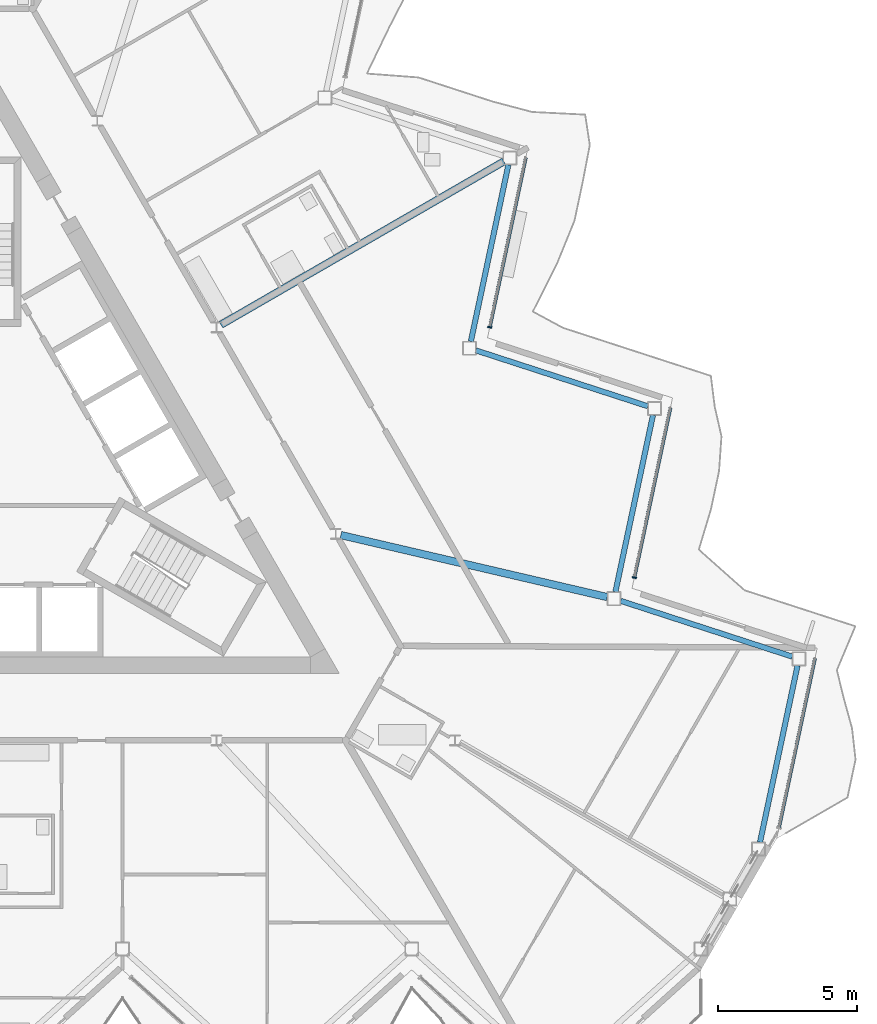
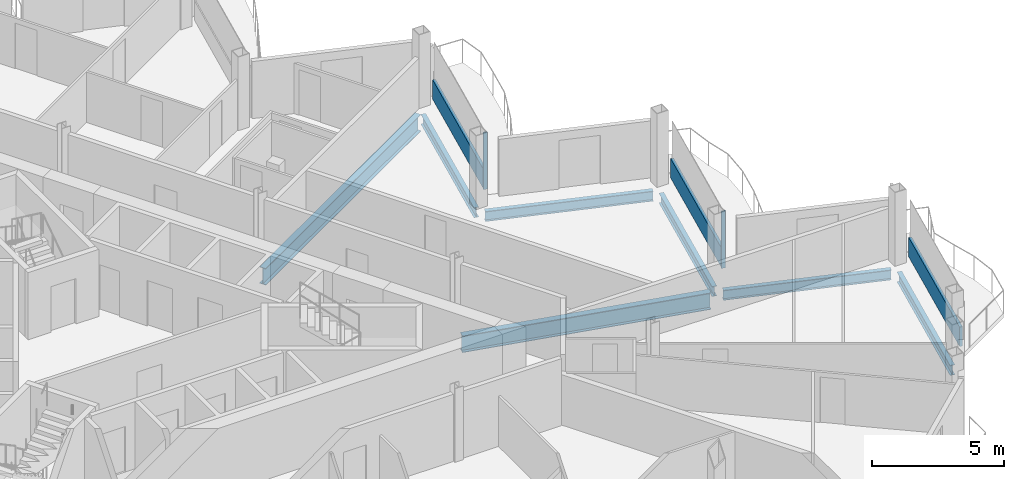
# One storey, part 8 of 26: 7 beams, 5 members, 3 elements without a shape of their own.
"""IFC4 building model written with IfcOpenShell, lengths in metres."""

from ifc_helpers import new_model, si_unit, direction, frame, origin, origin_2d, place, context, subcontext, project, spatial, rectangle, i_section, extrude, material, layer, layer_set, material_profile, profile_set, type_object, element, aggregate, save


model = new_model("IFC4")

# Units and contexts
model_context = context("Model", 3, precision=1e-05, world=origin(), true_north=direction((0.0, 1.0)))
body_context = subcontext(model_context, "Body", "Model", "MODEL_VIEW")
ifc_project = project(units=[si_unit("LENGTHUNIT", "METRE"), si_unit("AREAUNIT", "SQUARE_METRE"), si_unit("VOLUMEUNIT", "CUBIC_METRE"), si_unit("PLANEANGLEUNIT", "RADIAN"), si_unit("MASSUNIT", "GRAM", prefix="KILO")], contexts=[model_context])

# Site, building, storey
site_placement = place(None, origin())
site = spatial("IfcSite", under=ifc_project, at=site_placement, CompositionType="ELEMENT")
building_placement = place(site_placement, origin())
building = spatial("IfcBuilding", under=site, at=building_placement, Name="Cormorant Prow Tower", CompositionType="ELEMENT")
storey_placement = place(building_placement, frame((0.0, 0.0, 367.800048828125)))
storey = spatial("IfcBuildingStorey", under=building, at=storey_placement, Name="L82", CompositionType="ELEMENT", Elevation=367.800048828125)

# Beams
ifc_material_1 = material(Name="Structural steel ASTM A992 Gr 50", Category="steel")
ifc_material_profile_1 = material_profile(ifc_material_1, i_section(OverallWidth=0.267822265625, OverallDepth=0.77001953125, WebThickness=0.015625, FlangeThickness=0.025390625, at=origin_2d()), Name="W30x132")
ifc_profile_set_1 = profile_set([ifc_material_profile_1], Name="Structural steel ASTM A992 Gr 50")
beam_type_1 = type_object("IfcBeamType", Name="Radial floor beam W30x132", PredefinedType="BEAM", material=ifc_profile_set_1)
beam_1_placement = place(storey_placement, frame((13.0498046875, -2.518798828125, -0.68505859375), z_axis=(0.973926084128, -0.226865560752, 0.0), x_axis=(0.226865560752, 0.973926084128, 0.0)))
element("IfcBeam", 1, at=beam_1_placement, inside=storey, type_object=beam_type_1, Name="Radial floor beam FB3 10 L82", PredefinedType="BEAM", context=body_context, shape_type="SweptSolid", body=[
    extrude(i_section(OverallWidth=0.267822265625, OverallDepth=0.77001953125, WebThickness=0.015625, FlangeThickness=0.025390625, at=origin_2d()), origin(), (0.0, 0.0, 1.0), 9.837158203125),
])
beam_2_placement = place(storey_placement, frame((8.740478515625, 5.04638671875, -0.68505859375), z_axis=(0.866026702285, 0.499997750924, 0.0), x_axis=(-0.499997750924, 0.866026702285, 0.0)))
element("IfcBeam", 2, at=beam_2_placement, inside=storey, type_object=beam_type_1, Name="Radial floor beam FB3 11 L82", PredefinedType="BEAM", context=body_context, shape_type="SweptSolid", body=[
    extrude(i_section(OverallWidth=0.267822265625, OverallDepth=0.77001953125, WebThickness=0.015625, FlangeThickness=0.025390625, at=origin_2d()), origin(), (0.0, 0.0, 1.0), 11.7451171875),
])

# Curtain wall, member
ifc_material_2 = material(Name="Aluminium 6063-T6", Category="aluminium")
ifc_layer = layer(ifc_material_2, 0.159912109375)
ifc_layer_set = layer_set([ifc_layer], Name="Aluminium 6063-T6")
curtain_wall_type = type_object("IfcCurtainWallType", Name="Residential unitised curtain wall 160", PredefinedType="NOTDEFINED", material=ifc_layer_set)
curtain_wall_1_placement = place(storey_placement, origin())
curtain_wall_1 = element("IfcCurtainWall", 3, at=curtain_wall_1_placement, inside=storey, type_object=curtain_wall_type, Name="Residential curtain wall ENE02", PredefinedType="NOTDEFINED")
ifc_material_3 = material(Name="Aluminium 6063-T6", Category="aluminium")
ifc_material_profile_2 = material_profile(ifc_material_3, rectangle(XDim=0.159912109375, YDim=0.050048828125, at=origin_2d()), Name="Residential mullion 50x160")
ifc_profile_set_2 = profile_set([ifc_material_profile_2], Name="Aluminium 6063-T6")
member_type_1 = type_object("IfcMemberType", Name="Residential mullion 50x160", PredefinedType="MULLION", material=ifc_profile_set_2)
member_1_placement = place(storey_placement, frame((23.60595703125, -4.048828125, 0.0), z_axis=(0.0, 0.0, 1.0), x_axis=(-0.978147580525, 0.207911785891, 0.0)))
member_1 = element("IfcMember", 4, at=member_1_placement, type_object=member_type_1, Name="Residential mullion ENE02", PredefinedType="MULLION", context=body_context, shape_type="SweptSolid", body=[
    extrude(rectangle(XDim=0.159912109375, YDim=0.050048828125, at=origin_2d()), origin(), (0.0, 0.0, 1.0), 2.6337890625),
])

curtain_wall_2_placement = place(storey_placement, origin())
curtain_wall_2 = element("IfcCurtainWall", 5, at=curtain_wall_2_placement, inside=storey, type_object=curtain_wall_type, Name="Residential curtain wall ENE04", PredefinedType="NOTDEFINED")
member_2_placement = place(storey_placement, frame((18.406005859375, 4.957763671875, 0.0), z_axis=(0.0, 0.0, 1.0), x_axis=(-0.978147586701, 0.207911756835, 0.0)))
member_2 = element("IfcMember", 6, at=member_2_placement, type_object=member_type_1, Name="Residential mullion ENE04", PredefinedType="MULLION", context=body_context, shape_type="SweptSolid", body=[
    extrude(rectangle(XDim=0.159912109375, YDim=0.050048828125, at=origin_2d()), origin(), (0.0, 0.0, 1.0), 2.6337890625),
])

curtain_wall_3_placement = place(storey_placement, origin())
curtain_wall_3 = element("IfcCurtainWall", 7, at=curtain_wall_3_placement, inside=storey, type_object=curtain_wall_type, Name="Residential curtain wall ENE00", PredefinedType="NOTDEFINED")
ifc_material_4 = material(Name="Terracotta", Category="masonry")
ifc_material_profile_3 = material_profile(ifc_material_4, rectangle(XDim=0.1201171875, YDim=0.89990234375, at=origin_2d()), Name="Residential terracotta spandrel rail 120x900")
ifc_profile_set_3 = profile_set([ifc_material_profile_3], Name="Terracotta")
member_type_2 = type_object("IfcMemberType", Name="Residential terracotta spandrel rail 120x900", PredefinedType="USERDEFINED", material=ifc_profile_set_3)
member_3_placement = place(storey_placement, frame((28.811279296875, -13.031005859375, 0.449951171875), z_axis=(0.207916541247, 0.978146569731, 0.0), x_axis=(-0.978146569731, 0.207916541247, 0.0)))
member_3 = element("IfcMember", 8, at=member_3_placement, type_object=member_type_2, Name="Residential spandrel rail ENE00", ObjectType="TRANSOM", PredefinedType="USERDEFINED", context=body_context, shape_type="SweptSolid", body=[
    extrude(rectangle(XDim=0.1201171875, YDim=0.89990234375, at=origin_2d()), origin(), (0.0, 0.0, 1.0), 6.215087890625),
])
aggregate(curtain_wall_3, [member_3])

# Member
member_4_placement = place(storey_placement, frame((23.611328125, -4.0244140625, 0.449951171875), z_axis=(0.207908552773, 0.978148267741, 0.0), x_axis=(-0.978148267741, 0.207908552773, 0.0)))
member_4 = element("IfcMember", 9, at=member_4_placement, type_object=member_type_2, Name="Residential spandrel rail ENE02", ObjectType="TRANSOM", PredefinedType="USERDEFINED", context=body_context, shape_type="SweptSolid", body=[
    extrude(rectangle(XDim=0.1201171875, YDim=0.89990234375, at=origin_2d()), origin(), (0.0, 0.0, 1.0), 6.21533203125),
])

aggregate(curtain_wall_1, [member_1, member_4])

member_5_placement = place(storey_placement, frame((18.4111328125, 4.982177734375, 0.449951171875), z_axis=(0.207908552773, 0.978148267741, 0.0), x_axis=(-0.978148267741, 0.207908552773, 0.0)))
member_5 = element("IfcMember", 10, at=member_5_placement, type_object=member_type_2, Name="Residential spandrel rail ENE04", ObjectType="TRANSOM", PredefinedType="USERDEFINED", context=body_context, shape_type="SweptSolid", body=[
    extrude(rectangle(XDim=0.1201171875, YDim=0.89990234375, at=origin_2d()), origin(), (0.0, 0.0, 1.0), 6.21533203125),
])

aggregate(curtain_wall_2, [member_2, member_5])

# Beams
ifc_material_5 = material(Name="Structural steel ASTM A992 Gr 50", Category="steel")
ifc_material_profile_4 = material_profile(ifc_material_5, i_section(OverallWidth=0.19287109375, OverallDepth=0.466064453125, WebThickness=0.011474609375, FlangeThickness=0.01904296875, at=origin_2d()), Name="W18x65")
ifc_profile_set_4 = profile_set([ifc_material_profile_4], Name="Structural steel ASTM A992 Gr 50")
beam_type_2 = type_object("IfcBeamType", Name="Spandrel beam W18x65", PredefinedType="SPANDREL", material=ifc_profile_set_4)
beam_3_placement = place(storey_placement, frame((28.125732421875, -13.5693359375, -0.533203125), z_axis=(0.207901897373, 0.978149682344, 0.0), x_axis=(-0.978149682344, 0.207901897373, 0.0)))
element("IfcBeam", 11, at=beam_3_placement, inside=storey, type_object=beam_type_2, Name="Spandrel beam SB4 ENE00-ENE01 L82", PredefinedType="SPANDREL", context=body_context, shape_type="SweptSolid", body=[
    extrude(i_section(OverallWidth=0.19287109375, OverallDepth=0.466064453125, WebThickness=0.011474609375, FlangeThickness=0.01904296875, at=origin_2d()), origin(), (0.0, 0.0, 1.0), 6.49755859375),
])
for number, where, z_axis, x_axis, name in (
    (12, (29.290771484375, -6.89208984375, -0.533203125), (-0.951053396625, 0.309026595569, 0.0), (-0.309026595569, -0.951053396625, 0.0), "Spandrel beam SB4 ENE01-ENE02 L82"),
    (13, (22.92578125, -4.5625, -0.533203125), (0.207909538847, 0.978148058147, 0.0), (-0.978148058147, 0.207909538847, 0.0), "Spandrel beam SB4 ENE02-ENE03 L82"),
    (14, (24.0908203125, 2.114501953125, -0.533203125), (-0.951053396625, 0.309026595569, 0.0), (-0.309026595569, -0.951053396625, 0.0), "Spandrel beam SB4 ENE03-ENE04 L82"),
    (15, (17.725830078125, 4.444091796875, -0.533203125), (0.207909538847, 0.978148058147, 0.0), (-0.978148058147, 0.207909538847, 0.0), "Spandrel beam SB4 ENE04-ENE05 L82"),
):
    element("IfcBeam", number, at=place(storey_placement, frame(where, z_axis=z_axis, x_axis=x_axis)), inside=storey, type_object=beam_type_2, Name=name, PredefinedType="SPANDREL", context=body_context, shape_type="SweptSolid", body=[
        extrude(i_section(OverallWidth=0.19287109375, OverallDepth=0.466064453125, WebThickness=0.011474609375, FlangeThickness=0.01904296875, at=origin_2d()), origin(), (0.0, 0.0, 1.0), 6.497314453125),
    ])

save(model, "model.ifc")
